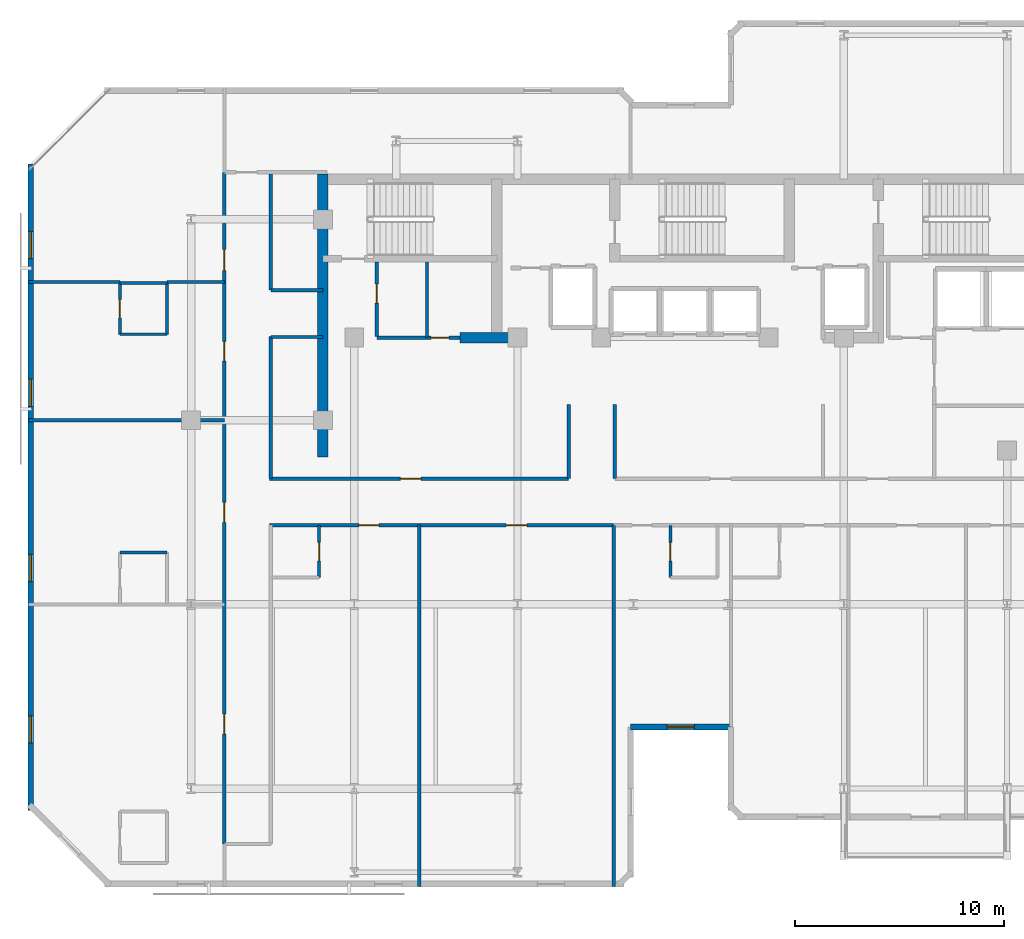
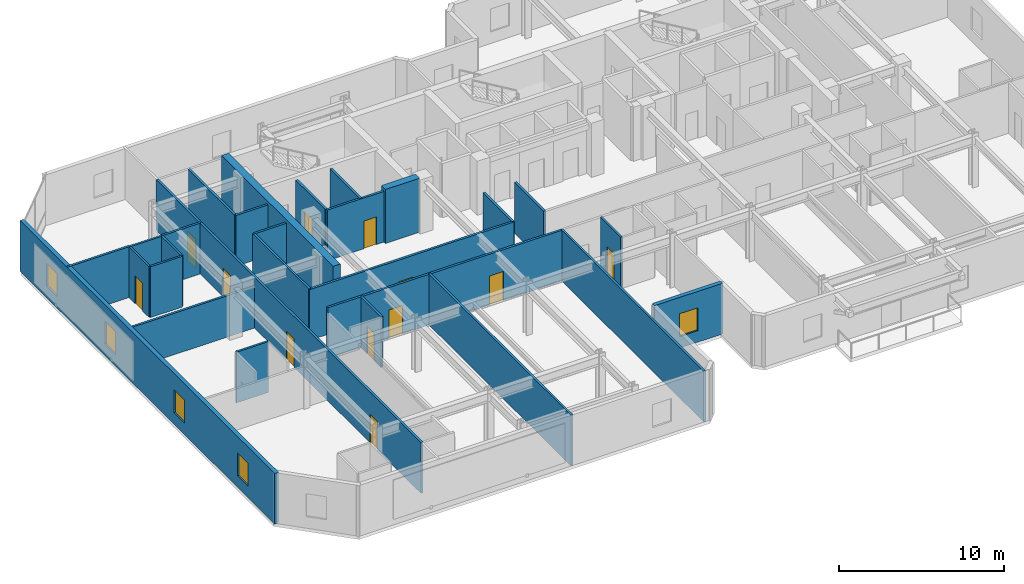
# One storey, part 4 of 10: 28 walls, 12 doors, 5 windows, 17 openings.
"""IFC4 building model written with IfcOpenShell, lengths in metres."""

from ifc_helpers import new_model, si_unit, direction, frame, frame_2d, origin, place, context, subcontext, project, spatial, rectangle, extrude, material, layer, layer_set, type_object, element, fill, save


model = new_model("IFC4")

# Units and contexts
model_context = context("Model", 3, precision=1e-05, world=origin(), true_north=direction((0.0, 1.0)))
body_context = subcontext(model_context, "Body", "Model", "MODEL_VIEW")
ifc_project = project(units=[si_unit("LENGTHUNIT", "METRE"), si_unit("AREAUNIT", "SQUARE_METRE"), si_unit("VOLUMEUNIT", "CUBIC_METRE"), si_unit("PLANEANGLEUNIT", "RADIAN"), si_unit("MASSUNIT", "GRAM", prefix="KILO")], contexts=[model_context])

# Site, building, storey
site_placement = place(None, origin())
site = spatial("IfcSite", under=ifc_project, at=site_placement, CompositionType="ELEMENT")
building_placement = place(site_placement, origin())
building = spatial("IfcBuilding", under=site, at=building_placement, Name="Kestravale Grand Hotel", CompositionType="ELEMENT")
storey_placement = place(building_placement, frame((0.0, 0.0, 285.39990234375)))
storey = spatial("IfcBuildingStorey", under=building, at=storey_placement, Name="L71", CompositionType="ELEMENT", Elevation=285.39990234375)

# Walls
ifc_material_1 = material(Name="Concrete f'c 50 MPa", Category="concrete")
ifc_layer_1 = layer(ifc_material_1, 0.5)
ifc_layer_set_1 = layer_set([ifc_layer_1], Name="EW-CORE-500")
wall_type_1 = type_object("IfcWallType", Name="EW-CORE-500", PredefinedType="SHEAR", material=ifc_layer_set_1)
wall_1_placement = place(storey_placement, frame((21.89990234375, 27.050048828125, 0.0), z_axis=(0.0, 0.0, 1.0), x_axis=(0.0, 1.0, 0.0)))
element("IfcWall", 1, at=wall_1_placement, inside=storey, type_object=wall_type_1, Name="L71 core shear wall W1", PredefinedType="SHEAR", context=body_context, shape_type="SweptSolid", body=[
    extrude(rectangle(XDim=13.52001953125, YDim=0.5, at=frame_2d((6.760009765625, 0.0))), origin(), (0.0, 0.0, 1.0), 4.0),
])
wall_2_placement = place(storey_placement, frame((28.449951171875, 32.75, 0.0), z_axis=(0.0, 0.0, 1.0), x_axis=(1.0, 0.0, 0.0)))
element("IfcWall", 2, at=wall_2_placement, inside=storey, type_object=wall_type_1, Name="L71 core shear wall S1", PredefinedType="SHEAR", context=body_context, shape_type="SweptSolid", body=[
    extrude(rectangle(XDim=2.400146484375, YDim=0.5, at=frame_2d((1.2001953125, 0.0))), origin(), (0.0, 0.0, 1.0), 4.0),
])

# Wall, opening, window
ifc_material_2 = material(Name="Precast concrete f'c 45 MPa", Category="concrete")
ifc_layer_2 = layer(ifc_material_2, 0.280029296875)
ifc_layer_set_2 = layer_set([ifc_layer_2], Name="EW-PREC-280")
wall_type_2 = type_object("IfcWallType", Name="EW-PREC-280", PredefinedType="SOLIDWALL", material=ifc_layer_set_2)
wall_3_placement = place(storey_placement, frame((36.610107421875, 14.139892578125, 0.0), z_axis=(0.0, 0.0, 1.0), x_axis=(1.0, 0.0, 0.0)))
wall_3 = element("IfcWall", 3, at=wall_3_placement, inside=storey, type_object=wall_type_2, Name="L71 fluted precast facade wall 4", PredefinedType="SOLIDWALL", context=body_context, shape_type="SweptSolid", body=[
    extrude(rectangle(XDim=4.77978515625, YDim=0.280029296875, at=frame_2d((2.389892578125, 0.0))), origin(), (0.0, 0.0, 1.0), 3.760009765625),
])
opening_1_placement = place(wall_3_placement, frame((1.739990234375, 0.0, 0.85009765625)))
opening_1 = element("IfcOpeningElement", 4, at=opening_1_placement, cuts=wall_3, Name="Opening W-GUEST-1300", PredefinedType="OPENING", context=body_context, shape_type="SweptSolid", body=[
    extrude(rectangle(XDim=1.300048828125, YDim=1.699951171875, at=frame_2d((0.64990234375, 0.85009765625))), frame((0.0, 0.14990234375, 0.0), z_axis=(0.0, -1.0, 0.0), x_axis=(1.0, 0.0, 0.0)), (0.0, 0.0, 1.0), 0.300048828125),
])
ifc_material_3 = material(Name="Insulated low-E double glazing in aluminium frame", Category="aluminium")
window_type = type_object("IfcWindowType", Name="W-GUEST-1300", PartitioningType="SINGLE_PANEL", PredefinedType="WINDOW", material=ifc_material_3)
window_1_placement = place(opening_1_placement, origin())
window_1 = element("IfcWindow", 5, at=window_1_placement, inside=storey, type_object=window_type, Name="L71 exterior window 4.1", OverallHeight=1.699951171875, OverallWidth=1.300048828125, PartitioningType="SINGLE_PANEL", PredefinedType="WINDOW", context=body_context, shape_type="SweptSolid", body=[
    extrude(rectangle(XDim=1.300048828125, YDim=1.699951171875, at=frame_2d((0.64990234375, 0.85009765625))), frame((0.0, 0.030029296875, 0.0), z_axis=(0.0, -1.0, 0.0), x_axis=(1.0, 0.0, 0.0)), (0.0, 0.0, 1.0), 0.06005859375),
])
fill(opening_1, window_1)

# Wall, openings, windows
wall_4_placement = place(storey_placement, frame((7.93994140625, 41.0400390625, 0.0), z_axis=(0.0, 0.0, 1.0), x_axis=(0.0, -1.0, 0.0)))
wall_4 = element("IfcWall", 6, at=wall_4_placement, inside=storey, type_object=wall_type_2, Name="L71 fluted precast facade wall 19", PredefinedType="SOLIDWALL", context=body_context, shape_type="SweptSolid", body=[
    extrude(rectangle(XDim=30.880126953125, YDim=0.280029296875, at=frame_2d((15.43994140625, 0.0))), origin(), (0.0, 0.0, 1.0), 3.760009765625),
])
opening_2_placement = place(wall_4_placement, frame((3.2099609375, 0.0, 0.85009765625)))
opening_2 = element("IfcOpeningElement", 7, at=opening_2_placement, cuts=wall_4, Name="Opening W-GUEST-1300", PredefinedType="OPENING", context=body_context, shape_type="SweptSolid", body=[
    extrude(rectangle(XDim=1.300048828125, YDim=1.699951171875, at=frame_2d((0.64990234375, 0.85009765625))), frame((0.0, 0.14990234375, 0.0), z_axis=(0.0, -1.0, 0.0), x_axis=(1.0, 0.0, 0.0)), (0.0, 0.0, 1.0), 0.300048828125),
])
opening_3_placement = place(wall_4_placement, frame((10.280029296875, 0.0, 0.85009765625)))
opening_3 = element("IfcOpeningElement", 8, at=opening_3_placement, cuts=wall_4, Name="Opening W-GUEST-1300", PredefinedType="OPENING", context=body_context, shape_type="SweptSolid", body=[
    extrude(rectangle(XDim=1.300048828125, YDim=1.699951171875, at=frame_2d((0.64990234375, 0.85009765625))), frame((0.0, 0.14990234375, 0.0), z_axis=(0.0, -1.0, 0.0), x_axis=(1.0, 0.0, 0.0)), (0.0, 0.0, 1.0), 0.300048828125),
])
opening_4_placement = place(wall_4_placement, frame((18.64990234375, 0.0, 0.85009765625)))
opening_4 = element("IfcOpeningElement", 9, at=opening_4_placement, cuts=wall_4, Name="Opening W-GUEST-1300", PredefinedType="OPENING", context=body_context, shape_type="SweptSolid", body=[
    extrude(rectangle(XDim=1.300048828125, YDim=1.699951171875, at=frame_2d((0.64990234375, 0.85009765625))), frame((0.0, 0.14990234375, 0.0), z_axis=(0.0, -1.0, 0.0), x_axis=(1.0, 0.0, 0.0)), (0.0, 0.0, 1.0), 0.300048828125),
])
opening_5_placement = place(wall_4_placement, frame((26.3701171875, 0.0, 0.85009765625)))
opening_5 = element("IfcOpeningElement", 10, at=opening_5_placement, cuts=wall_4, Name="Opening W-GUEST-1300", PredefinedType="OPENING", context=body_context, shape_type="SweptSolid", body=[
    extrude(rectangle(XDim=1.300048828125, YDim=1.699951171875, at=frame_2d((0.64990234375, 0.85009765625))), frame((0.0, 0.14990234375, 0.0), z_axis=(0.0, -1.0, 0.0), x_axis=(1.0, 0.0, 0.0)), (0.0, 0.0, 1.0), 0.300048828125),
])
window_2_placement = place(opening_2_placement, origin())
window_2 = element("IfcWindow", 11, at=window_2_placement, inside=storey, type_object=window_type, Name="L71 exterior window 19.1", OverallHeight=1.699951171875, OverallWidth=1.300048828125, PartitioningType="SINGLE_PANEL", PredefinedType="WINDOW", context=body_context, shape_type="SweptSolid", body=[
    extrude(rectangle(XDim=1.300048828125, YDim=1.699951171875, at=frame_2d((0.64990234375, 0.85009765625))), frame((0.0, 0.030029296875, 0.0), z_axis=(0.0, -1.0, 0.0), x_axis=(1.0, 0.0, 0.0)), (0.0, 0.0, 1.0), 0.06005859375),
])
fill(opening_2, window_2)
window_3_placement = place(opening_3_placement, origin())
window_3 = element("IfcWindow", 12, at=window_3_placement, inside=storey, type_object=window_type, Name="L71 exterior window 19.2", OverallHeight=1.699951171875, OverallWidth=1.300048828125, PartitioningType="SINGLE_PANEL", PredefinedType="WINDOW", context=body_context, shape_type="SweptSolid", body=[
    extrude(rectangle(XDim=1.300048828125, YDim=1.699951171875, at=frame_2d((0.64990234375, 0.85009765625))), frame((0.0, 0.030029296875, 0.0), z_axis=(0.0, -1.0, 0.0), x_axis=(1.0, 0.0, 0.0)), (0.0, 0.0, 1.0), 0.06005859375),
])
fill(opening_3, window_3)
window_4_placement = place(opening_4_placement, origin())
window_4 = element("IfcWindow", 13, at=window_4_placement, inside=storey, type_object=window_type, Name="L71 exterior window 19.3", OverallHeight=1.699951171875, OverallWidth=1.300048828125, PartitioningType="SINGLE_PANEL", PredefinedType="WINDOW", context=body_context, shape_type="SweptSolid", body=[
    extrude(rectangle(XDim=1.300048828125, YDim=1.699951171875, at=frame_2d((0.64990234375, 0.85009765625))), frame((0.0, 0.030029296875, 0.0), z_axis=(0.0, -1.0, 0.0), x_axis=(1.0, 0.0, 0.0)), (0.0, 0.0, 1.0), 0.06005859375),
])
fill(opening_4, window_4)
window_5_placement = place(opening_5_placement, origin())
window_5 = element("IfcWindow", 14, at=window_5_placement, inside=storey, type_object=window_type, Name="L71 exterior window 19.4", OverallHeight=1.699951171875, OverallWidth=1.300048828125, PartitioningType="SINGLE_PANEL", PredefinedType="WINDOW", context=body_context, shape_type="SweptSolid", body=[
    extrude(rectangle(XDim=1.300048828125, YDim=1.699951171875, at=frame_2d((0.64990234375, 0.85009765625))), frame((0.0, 0.030029296875, 0.0), z_axis=(0.0, -1.0, 0.0), x_axis=(1.0, 0.0, 0.0)), (0.0, 0.0, 1.0), 0.06005859375),
])
fill(opening_5, window_5)

# Wall, opening, door
ifc_material_4 = material(Name="Acoustic fire-rated gypsum board partition", Category="other")
ifc_layer_3 = layer(ifc_material_4, 0.159912109375)
ifc_layer_set_3 = layer_set([ifc_layer_3], Name="IW-CORR-160")
wall_type_3 = type_object("IfcWallType", Name="IW-CORR-160", PredefinedType="PARTITIONING", material=ifc_layer_set_3)
wall_5_placement = place(storey_placement, frame((24.47998046875, 32.800048828125, 0.0), z_axis=(0.0, 0.0, 1.0), x_axis=(0.0, 1.0, 0.0)))
wall_5 = element("IfcWall", 15, at=wall_5_placement, inside=storey, type_object=wall_type_3, Name="L71 west core vestibule wall", PredefinedType="PARTITIONING", context=body_context, shape_type="SweptSolid", body=[
    extrude(rectangle(XDim=3.570068359375, YDim=0.159912109375, at=frame_2d((1.78515625, 0.0))), origin(), (0.0, 0.0, 1.0), 3.760009765625),
])
opening_6_placement = place(wall_5_placement, frame((1.603515625, 0.0, 0.0)))
opening_6 = element("IfcOpeningElement", 16, at=opening_6_placement, cuts=wall_5, Name="Opening D-SH-900", PredefinedType="OPENING", context=body_context, shape_type="SweptSolid", body=[
    extrude(rectangle(XDim=0.89990234375, YDim=2.10009765625, at=frame_2d((0.449951171875, 1.050048828125))), frame((0.0, 0.08984375, 0.0), z_axis=(0.0, -1.0, 0.0), x_axis=(1.0, 0.0, 0.0)), (0.0, 0.0, 1.0), 0.179931640625),
])
ifc_material_5 = material(Name="Galvanised 90-minute shaft and service fire door", Category="steel")
door_type_1 = type_object("IfcDoorType", Name="D-SH-900", OperationType="NOTDEFINED", PredefinedType="DOOR", material=ifc_material_5)
door_1_placement = place(opening_6_placement, origin())
door_1 = element("IfcDoor", 17, at=door_1_placement, inside=storey, type_object=door_type_1, Name="D-L71-HK", OperationType="SINGLE_SWING_RIGHT", OverallHeight=2.10009765625, OverallWidth=0.89990234375, PredefinedType="DOOR", context=body_context, shape_type="SweptSolid", body=[
    extrude(rectangle(XDim=0.89990234375, YDim=2.10009765625, at=frame_2d((0.449951171875, 1.050048828125))), frame((0.0, 0.02490234375, 0.0), z_axis=(0.0, -1.0, 0.0), x_axis=(1.0, 0.0, 0.0)), (0.0, 0.0, 1.0), 0.050048828125),
])
fill(opening_6, door_1)

wall_6_placement = place(storey_placement, frame((24.47998046875, 32.75, 0.0), z_axis=(0.0, 0.0, 1.0), x_axis=(1.0, 0.0, 0.0)))
wall_6 = element("IfcWall", 18, at=wall_6_placement, inside=storey, type_object=wall_type_3, Name="W-L71-CWS", PredefinedType="PARTITIONING", context=body_context, shape_type="SweptSolid", body=[
    extrude(rectangle(XDim=3.969970703125, YDim=0.159912109375, at=frame_2d((1.98486328125, 0.0))), origin(), (0.0, 0.0, 1.0), 3.760009765625),
])
opening_7_placement = place(wall_6_placement, frame((2.5849609375, 0.0, 0.0)))
opening_7 = element("IfcOpeningElement", 19, at=opening_7_placement, cuts=wall_6, Name="Opening D-SH-860", PredefinedType="OPENING", context=body_context, shape_type="SweptSolid", body=[
    extrude(rectangle(XDim=0.860107421875, YDim=2.050048828125, at=frame_2d((0.43017578125, 1.02490234375))), frame((0.0, 0.08984375, 0.0), z_axis=(0.0, -1.0, 0.0), x_axis=(1.0, 0.0, 0.0)), (0.0, 0.0, 1.0), 0.179931640625),
])
ifc_material_6 = material(Name="Galvanised 90-minute riser fire door", Category="steel")
door_type_2 = type_object("IfcDoorType", Name="D-SH-860", OperationType="NOTDEFINED", PredefinedType="DOOR", material=ifc_material_6)
door_2_placement = place(opening_7_placement, origin())
door_2 = element("IfcDoor", 20, at=door_2_placement, inside=storey, type_object=door_type_2, Name="D-L71-ELEC", OperationType="SINGLE_SWING_RIGHT", OverallHeight=2.050048828125, OverallWidth=0.860107421875, PredefinedType="DOOR", context=body_context, shape_type="SweptSolid", body=[
    extrude(rectangle(XDim=0.860107421875, YDim=2.050048828125, at=frame_2d((0.43017578125, 1.02490234375))), frame((0.0, 0.02490234375, 0.0), z_axis=(0.0, -1.0, 0.0), x_axis=(1.0, 0.0, 0.0)), (0.0, 0.0, 1.0), 0.050048828125),
])
fill(opening_7, door_2)

wall_7_placement = place(storey_placement, frame((19.35009765625, 26.010009765625, 0.0), z_axis=(0.0, 0.0, 1.0), x_axis=(1.0, 0.0, 0.0)))
wall_7 = element("IfcWall", 21, at=wall_7_placement, inside=storey, type_object=wall_type_3, Name="W-L71-CW-N", PredefinedType="PARTITIONING", context=body_context, shape_type="SweptSolid", body=[
    extrude(rectangle(XDim=14.2998046875, YDim=0.159912109375, at=frame_2d((7.14990234375, 0.0))), origin(), (0.0, 0.0, 1.0), 3.760009765625),
])
opening_8_placement = place(wall_7_placement, frame((6.25, 0.0, 0.0)))
opening_8 = element("IfcOpeningElement", 22, at=opening_8_placement, cuts=wall_7, Name="Opening D-GUEST-1000", PredefinedType="OPENING", context=body_context, shape_type="SweptSolid", body=[
    extrude(rectangle(XDim=1.0, YDim=2.14990234375, at=frame_2d((0.5, 1.074951171875))), frame((0.0, 0.08984375, 0.0), z_axis=(0.0, -1.0, 0.0), x_axis=(1.0, 0.0, 0.0)), (0.0, 0.0, 1.0), 0.179931640625),
])
ifc_material_7 = material(Name="Accessible walnut veneer hotel entrance fire door", Category="wood")
door_type_3 = type_object("IfcDoorType", Name="D-GUEST-1000", OperationType="NOTDEFINED", PredefinedType="DOOR", material=ifc_material_7)
door_3_placement = place(opening_8_placement, origin())
door_3 = element("IfcDoor", 23, at=door_3_placement, inside=storey, type_object=door_type_3, Name="D-L71-RECL-W", OperationType="SINGLE_SWING_LEFT", OverallHeight=2.14990234375, OverallWidth=1.0, PredefinedType="DOOR", context=body_context, shape_type="SweptSolid", body=[
    extrude(rectangle(XDim=1.0, YDim=2.14990234375, at=frame_2d((0.5, 1.074951171875))), frame((0.0, 0.02490234375, 0.0), z_axis=(0.0, -1.0, 0.0), x_axis=(1.0, 0.0, 0.0)), (0.0, 0.0, 1.0), 0.050048828125),
])
fill(opening_8, door_3)

# Walls
for number, where, z_axis, x_axis, name in (
    (24, (33.64990234375, 26.010009765625, 0.0), (0.0, 0.0, 1.0), (0.0, 1.0, 0.0), "W-L71-TRUNK-W"),
    (25, (35.85009765625, 26.010009765625, 0.0), (0.0, 0.0, 1.0), (0.0, 1.0, 0.0), "W-L71-TRUNK-E"),
):
    element("IfcWall", number, at=place(storey_placement, frame(where, z_axis=z_axis, x_axis=x_axis)), inside=storey, type_object=wall_type_3, Name=name, PredefinedType="PARTITIONING", context=body_context, shape_type="SweptSolid", body=[
        extrude(rectangle(XDim=3.5400390625, YDim=0.159912109375, at=frame_2d((1.77001953125, 0.0))), origin(), (0.0, 0.0, 1.0), 3.760009765625),
    ])

# Wall, openings, doors
wall_8_placement = place(storey_placement, frame((19.35009765625, 23.7900390625, 0.0), z_axis=(0.0, 0.0, 1.0), x_axis=(1.0, 0.0, 0.0)))
wall_8 = element("IfcWall", 26, at=wall_8_placement, inside=storey, type_object=wall_type_3, Name="W-L71-CW-S", PredefinedType="PARTITIONING", context=body_context, shape_type="SweptSolid", body=[
    extrude(rectangle(XDim=16.449951171875, YDim=0.159912109375, at=frame_2d((8.22509765625, 0.0))), origin(), (0.0, 0.0, 1.0), 3.760009765625),
])
opening_9_placement = place(wall_8_placement, frame((4.28759765625, 0.0, 0.0)))
opening_9 = element("IfcOpeningElement", 27, at=opening_9_placement, cuts=wall_8, Name="Opening D-GUEST-950", PredefinedType="OPENING", context=body_context, shape_type="SweptSolid", body=[
    extrude(rectangle(XDim=0.949951171875, YDim=2.10009765625, at=frame_2d((0.47509765625, 1.050048828125))), frame((0.0, 0.08984375, 0.0), z_axis=(0.0, -1.0, 0.0), x_axis=(1.0, 0.0, 0.0)), (0.0, 0.0, 1.0), 0.179931640625),
])
opening_10_placement = place(wall_8_placement, frame((11.302490234375, 0.0, 0.0)))
opening_10 = element("IfcOpeningElement", 28, at=opening_10_placement, cuts=wall_8, Name="Opening D-GUEST-1000", PredefinedType="OPENING", context=body_context, shape_type="SweptSolid", body=[
    extrude(rectangle(XDim=1.0, YDim=2.14990234375, at=frame_2d((0.5, 1.074951171875))), frame((0.0, 0.08984375, 0.0), z_axis=(0.0, -1.0, 0.0), x_axis=(1.0, 0.0, 0.0)), (0.0, 0.0, 1.0), 0.179931640625),
])
door_4_placement = place(opening_10_placement, origin())
door_4 = element("IfcDoor", 29, at=door_4_placement, inside=storey, type_object=door_type_3, Name="D-L71-AMW", OperationType="SINGLE_SWING_RIGHT", OverallHeight=2.14990234375, OverallWidth=1.0, PredefinedType="DOOR", context=body_context, shape_type="SweptSolid", body=[
    extrude(rectangle(XDim=1.0, YDim=2.14990234375, at=frame_2d((0.5, 1.074951171875))), frame((0.0, 0.02490234375, 0.0), z_axis=(0.0, -1.0, 0.0), x_axis=(1.0, 0.0, 0.0)), (0.0, 0.0, 1.0), 0.050048828125),
])
fill(opening_10, door_4)
ifc_material_8 = material(Name="Walnut veneer hotel guestroom entrance fire door", Category="wood")
door_type_4 = type_object("IfcDoorType", Name="D-GUEST-950", OperationType="NOTDEFINED", PredefinedType="DOOR", material=ifc_material_8)
door_5_placement = place(opening_9_placement, origin())
door_5 = element("IfcDoor", 30, at=door_5_placement, inside=storey, type_object=door_type_4, Name="D-L71-U01-ENT", OperationType="SINGLE_SWING_LEFT", OverallHeight=2.10009765625, OverallWidth=0.949951171875, PredefinedType="DOOR", context=body_context, shape_type="SweptSolid", body=[
    extrude(rectangle(XDim=0.949951171875, YDim=2.10009765625, at=frame_2d((0.47509765625, 1.050048828125))), frame((0.0, 0.02490234375, 0.0), z_axis=(0.0, -1.0, 0.0), x_axis=(1.0, 0.0, 0.0)), (0.0, 0.0, 1.0), 0.050048828125),
])
fill(opening_9, door_5)

wall_9_placement = place(storey_placement, frame((17.18994140625, 8.550048828125, 0.0), z_axis=(0.0, 0.0, 1.0), x_axis=(0.0, 1.0, 0.0)))
wall_9 = element("IfcWall", 31, at=wall_9_placement, inside=storey, type_object=wall_type_3, Name="W-L71-SW-W", PredefinedType="PARTITIONING", context=body_context, shape_type="SweptSolid", body=[
    extrude(rectangle(XDim=32.099853515625, YDim=0.159912109375, at=frame_2d((16.0498046875, 0.0))), origin(), (0.0, 0.0, 1.0), 3.760009765625),
])
opening_11_placement = place(wall_9_placement, frame((5.25, 0.0, 0.0)))
opening_11 = element("IfcOpeningElement", 32, at=opening_11_placement, cuts=wall_9, Name="Opening D-GUEST-950", PredefinedType="OPENING", context=body_context, shape_type="SweptSolid", body=[
    extrude(rectangle(XDim=0.949951171875, YDim=2.10009765625, at=frame_2d((0.47509765625, 1.050048828125))), frame((0.0, 0.08984375, 0.0), z_axis=(0.0, -1.0, 0.0), x_axis=(1.0, 0.0, 0.0)), (0.0, 0.0, 1.0), 0.179931640625),
])
opening_12_placement = place(wall_9_placement, frame((15.375, 0.0, 0.0)))
opening_12 = element("IfcOpeningElement", 33, at=opening_12_placement, cuts=wall_9, Name="Opening D-GUEST-950", PredefinedType="OPENING", context=body_context, shape_type="SweptSolid", body=[
    extrude(rectangle(XDim=0.949951171875, YDim=2.10009765625, at=frame_2d((0.47509765625, 1.050048828125))), frame((0.0, 0.08984375, 0.0), z_axis=(0.0, -1.0, 0.0), x_axis=(1.0, 0.0, 0.0)), (0.0, 0.0, 1.0), 0.179931640625),
])
opening_13_placement = place(wall_9_placement, frame((23.074951171875, 0.0, 0.0)))
opening_13 = element("IfcOpeningElement", 34, at=opening_13_placement, cuts=wall_9, Name="Opening D-GUEST-950", PredefinedType="OPENING", context=body_context, shape_type="SweptSolid", body=[
    extrude(rectangle(XDim=0.949951171875, YDim=2.10009765625, at=frame_2d((0.47509765625, 1.050048828125))), frame((0.0, 0.08984375, 0.0), z_axis=(0.0, -1.0, 0.0), x_axis=(1.0, 0.0, 0.0)), (0.0, 0.0, 1.0), 0.179931640625),
])
opening_14_placement = place(wall_9_placement, frame((27.39990234375, 0.0, 0.0)))
opening_14 = element("IfcOpeningElement", 35, at=opening_14_placement, cuts=wall_9, Name="Opening D-GUEST-1000", PredefinedType="OPENING", context=body_context, shape_type="SweptSolid", body=[
    extrude(rectangle(XDim=1.0, YDim=2.14990234375, at=frame_2d((0.5, 1.074951171875))), frame((0.0, 0.08984375, 0.0), z_axis=(0.0, -1.0, 0.0), x_axis=(1.0, 0.0, 0.0)), (0.0, 0.0, 1.0), 0.179931640625),
])
door_6_placement = place(opening_14_placement, origin())
door_6 = element("IfcDoor", 36, at=door_6_placement, inside=storey, type_object=door_type_3, Name="D-L71-AMWW", OperationType="SINGLE_SWING_RIGHT", OverallHeight=2.14990234375, OverallWidth=1.0, PredefinedType="DOOR", context=body_context, shape_type="SweptSolid", body=[
    extrude(rectangle(XDim=1.0, YDim=2.14990234375, at=frame_2d((0.5, 1.074951171875))), frame((0.0, 0.02490234375, 0.0), z_axis=(0.0, -1.0, 0.0), x_axis=(1.0, 0.0, 0.0)), (0.0, 0.0, 1.0), 0.050048828125),
])
fill(opening_14, door_6)
door_7_placement = place(opening_11_placement, origin())
door_7 = element("IfcDoor", 37, at=door_7_placement, inside=storey, type_object=door_type_4, Name="D-L71-U05-ENT", OperationType="SINGLE_SWING_LEFT", OverallHeight=2.10009765625, OverallWidth=0.949951171875, PredefinedType="DOOR", context=body_context, shape_type="SweptSolid", body=[
    extrude(rectangle(XDim=0.949951171875, YDim=2.10009765625, at=frame_2d((0.47509765625, 1.050048828125))), frame((0.0, 0.02490234375, 0.0), z_axis=(0.0, -1.0, 0.0), x_axis=(1.0, 0.0, 0.0)), (0.0, 0.0, 1.0), 0.050048828125),
])
fill(opening_11, door_7)
door_8_placement = place(opening_12_placement, origin())
door_8 = element("IfcDoor", 38, at=door_8_placement, inside=storey, type_object=door_type_4, Name="D-L71-U06-ENT", OperationType="SINGLE_SWING_LEFT", OverallHeight=2.10009765625, OverallWidth=0.949951171875, PredefinedType="DOOR", context=body_context, shape_type="SweptSolid", body=[
    extrude(rectangle(XDim=0.949951171875, YDim=2.10009765625, at=frame_2d((0.47509765625, 1.050048828125))), frame((0.0, 0.02490234375, 0.0), z_axis=(0.0, -1.0, 0.0), x_axis=(1.0, 0.0, 0.0)), (0.0, 0.0, 1.0), 0.050048828125),
])
fill(opening_12, door_8)
door_9_placement = place(opening_13_placement, origin())
door_9 = element("IfcDoor", 39, at=door_9_placement, inside=storey, type_object=door_type_4, Name="D-L71-U07-ENT", OperationType="SINGLE_SWING_LEFT", OverallHeight=2.10009765625, OverallWidth=0.949951171875, PredefinedType="DOOR", context=body_context, shape_type="SweptSolid", body=[
    extrude(rectangle(XDim=0.949951171875, YDim=2.10009765625, at=frame_2d((0.47509765625, 1.050048828125))), frame((0.0, 0.02490234375, 0.0), z_axis=(0.0, -1.0, 0.0), x_axis=(1.0, 0.0, 0.0)), (0.0, 0.0, 1.0), 0.050048828125),
])
fill(opening_13, door_9)

# Walls
wall_10_placement = place(storey_placement, frame((19.409912109375, 35.02001953125, 0.0), z_axis=(0.0, 0.0, 1.0), x_axis=(0.0, 1.0, 0.0)))
element("IfcWall", 40, at=wall_10_placement, inside=storey, type_object=wall_type_3, Name="W-L71-SW-EN", PredefinedType="PARTITIONING", context=body_context, shape_type="SweptSolid", body=[
    extrude(rectangle(XDim=5.6298828125, YDim=0.159912109375, at=frame_2d((2.81494140625, 0.0))), origin(), (0.0, 0.0, 1.0), 3.760009765625),
])
for number, where, z_axis, x_axis, name in (
    (41, (19.409912109375, 35.02001953125, 0.0), (0.0, 0.0, 1.0), (1.0, 0.0, 0.0), "W-L71-SW-CN"),
    (42, (19.409912109375, 32.780029296875, 0.0), (0.0, 0.0, 1.0), (1.0, 0.0, 0.0), "W-L71-SW-CS"),
):
    element("IfcWall", number, at=place(storey_placement, frame(where, z_axis=z_axis, x_axis=x_axis)), inside=storey, type_object=wall_type_3, Name=name, PredefinedType="PARTITIONING", context=body_context, shape_type="SweptSolid", body=[
        extrude(rectangle(XDim=2.489990234375, YDim=0.159912109375, at=frame_2d((1.2451171875, 0.0))), origin(), (0.0, 0.0, 1.0), 3.760009765625),
    ])

# Wall, opening, door
ifc_material_9 = material(Name="Moisture-resistant tile-backer plumbing chase wall", Category="other")
ifc_layer_4 = layer(ifc_material_9, 0.139892578125)
ifc_layer_set_4 = layer_set([ifc_layer_4], Name="IW-PLB-140")
wall_type_4 = type_object("IfcWallType", Name="IW-PLB-140", PredefinedType="PLUMBINGWALL", material=ifc_layer_set_4)
wall_11_placement = place(storey_placement, frame((21.719970703125, 21.280029296875, 0.0), z_axis=(0.0, 0.0, 1.0), x_axis=(0.0, 1.0, 0.0)))
wall_11 = element("IfcWall", 43, at=wall_11_placement, inside=storey, type_object=wall_type_4, Name="W-L71-U01-BE", PredefinedType="PLUMBINGWALL", context=body_context, shape_type="SweptSolid", body=[
    extrude(rectangle(XDim=2.489990234375, YDim=0.139892578125, at=frame_2d((1.2451171875, 0.0))), origin(), (0.0, 0.0, 1.0), 3.760009765625),
])
opening_15_placement = place(wall_11_placement, frame((0.804931640625, 0.0, 0.0)))
opening_15 = element("IfcOpeningElement", 44, at=opening_15_placement, cuts=wall_11, Name="Opening D-BATH-880", PredefinedType="OPENING", context=body_context, shape_type="SweptSolid", body=[
    extrude(rectangle(XDim=0.8798828125, YDim=2.050048828125, at=frame_2d((0.43994140625, 1.02490234375))), frame((0.0, 0.079833984375, 0.0), z_axis=(0.0, -1.0, 0.0), x_axis=(1.0, 0.0, 0.0)), (0.0, 0.0, 1.0), 0.159912109375),
])
ifc_material_10 = material(Name="Moisture-sealed walnut en-suite bathroom door", Category="wood")
door_type_5 = type_object("IfcDoorType", Name="D-BATH-880", OperationType="NOTDEFINED", PredefinedType="DOOR", material=ifc_material_10)
door_10_placement = place(opening_15_placement, origin())
door_10 = element("IfcDoor", 45, at=door_10_placement, inside=storey, type_object=door_type_5, Name="D-L71-U01-BATH", OperationType="SINGLE_SWING_RIGHT", OverallHeight=2.050048828125, OverallWidth=0.8798828125, PredefinedType="DOOR", context=body_context, shape_type="SweptSolid", body=[
    extrude(rectangle(XDim=0.8798828125, YDim=2.050048828125, at=frame_2d((0.43994140625, 1.02490234375))), frame((0.0, 0.02490234375, 0.0), z_axis=(0.0, -1.0, 0.0), x_axis=(1.0, 0.0, 0.0)), (0.0, 0.0, 1.0), 0.050048828125),
])
fill(opening_15, door_10)

wall_12_placement = place(storey_placement, frame((38.510009765625, 21.280029296875, 0.0), z_axis=(0.0, 0.0, 1.0), x_axis=(0.0, 1.0, 0.0)))
wall_12 = element("IfcWall", 46, at=wall_12_placement, inside=storey, type_object=wall_type_4, Name="W-L71-U02-BW", PredefinedType="PLUMBINGWALL", context=body_context, shape_type="SweptSolid", body=[
    extrude(rectangle(XDim=2.489990234375, YDim=0.139892578125, at=frame_2d((1.2451171875, 0.0))), origin(), (0.0, 0.0, 1.0), 3.760009765625),
])
opening_16_placement = place(wall_12_placement, frame((0.804931640625, 0.0, 0.0)))
opening_16 = element("IfcOpeningElement", 47, at=opening_16_placement, cuts=wall_12, Name="Opening D-BATH-880", PredefinedType="OPENING", context=body_context, shape_type="SweptSolid", body=[
    extrude(rectangle(XDim=0.8798828125, YDim=2.050048828125, at=frame_2d((0.43994140625, 1.02490234375))), frame((0.0, 0.079833984375, 0.0), z_axis=(0.0, -1.0, 0.0), x_axis=(1.0, 0.0, 0.0)), (0.0, 0.0, 1.0), 0.159912109375),
])
door_11_placement = place(opening_16_placement, origin())
door_11 = element("IfcDoor", 48, at=door_11_placement, inside=storey, type_object=door_type_5, Name="D-L71-U02-BATH", OperationType="SINGLE_SWING_LEFT", OverallHeight=2.050048828125, OverallWidth=0.8798828125, PredefinedType="DOOR", context=body_context, shape_type="SweptSolid", body=[
    extrude(rectangle(XDim=0.8798828125, YDim=2.050048828125, at=frame_2d((0.43994140625, 1.02490234375))), frame((0.0, 0.02490234375, 0.0), z_axis=(0.0, -1.0, 0.0), x_axis=(1.0, 0.0, 0.0)), (0.0, 0.0, 1.0), 0.050048828125),
])
fill(opening_16, door_11)

# Wall
wall_13_placement = place(storey_placement, frame((12.199951171875, 22.489990234375, 0.0), z_axis=(0.0, 0.0, 1.0), x_axis=(1.0, 0.0, 0.0)))
element("IfcWall", 49, at=wall_13_placement, inside=storey, type_object=wall_type_4, Name="W-L71-U06-BN", PredefinedType="PLUMBINGWALL", context=body_context, shape_type="SweptSolid", body=[
    extrude(rectangle(XDim=2.25, YDim=0.139892578125, at=frame_2d((1.125, 0.0))), origin(), (0.0, 0.0, 1.0), 3.760009765625),
])

# Wall, opening, door
wall_14_placement = place(storey_placement, frame((12.199951171875, 32.909912109375, 0.0), z_axis=(0.0, 0.0, 1.0), x_axis=(0.0, 1.0, 0.0)))
wall_14 = element("IfcWall", 50, at=wall_14_placement, inside=storey, type_object=wall_type_4, Name="W-L71-U07-BW", PredefinedType="PLUMBINGWALL", context=body_context, shape_type="SweptSolid", body=[
    extrude(rectangle(XDim=2.4501953125, YDim=0.139892578125, at=frame_2d((1.22509765625, 0.0))), origin(), (0.0, 0.0, 1.0), 3.760009765625),
])
opening_17_placement = place(wall_14_placement, frame((0.784912109375, 0.0, 0.0)))
opening_17 = element("IfcOpeningElement", 51, at=opening_17_placement, cuts=wall_14, Name="Opening D-BATH-880", PredefinedType="OPENING", context=body_context, shape_type="SweptSolid", body=[
    extrude(rectangle(XDim=0.8798828125, YDim=2.050048828125, at=frame_2d((0.43994140625, 1.02490234375))), frame((0.0, 0.079833984375, 0.0), z_axis=(0.0, -1.0, 0.0), x_axis=(1.0, 0.0, 0.0)), (0.0, 0.0, 1.0), 0.159912109375),
])
door_12_placement = place(opening_17_placement, origin())
door_12 = element("IfcDoor", 52, at=door_12_placement, inside=storey, type_object=door_type_5, Name="D-L71-U07-BATH", OperationType="SINGLE_SWING_RIGHT", OverallHeight=2.050048828125, OverallWidth=0.8798828125, PredefinedType="DOOR", context=body_context, shape_type="SweptSolid", body=[
    extrude(rectangle(XDim=0.8798828125, YDim=2.050048828125, at=frame_2d((0.43994140625, 1.02490234375))), frame((0.0, 0.02490234375, 0.0), z_axis=(0.0, -1.0, 0.0), x_axis=(1.0, 0.0, 0.0)), (0.0, 0.0, 1.0), 0.050048828125),
])
fill(opening_17, door_12)

# Walls
wall_15_placement = place(storey_placement, frame((14.449951171875, 32.909912109375, 0.0), z_axis=(0.0, 0.0, 1.0), x_axis=(0.0, 1.0, 0.0)))
element("IfcWall", 53, at=wall_15_placement, inside=storey, type_object=wall_type_4, Name="W-L71-U07-BE", PredefinedType="PLUMBINGWALL", context=body_context, shape_type="SweptSolid", body=[
    extrude(rectangle(XDim=2.4501953125, YDim=0.139892578125, at=frame_2d((1.22509765625, 0.0))), origin(), (0.0, 0.0, 1.0), 3.760009765625),
])
for number, where, z_axis, x_axis, name in (
    (54, (12.199951171875, 32.909912109375, 0.0), (0.0, 0.0, 1.0), (1.0, 0.0, 0.0), "W-L71-U07-BS"),
    (55, (12.199951171875, 35.360107421875, 0.0), (0.0, 0.0, 1.0), (1.0, 0.0, 0.0), "W-L71-U07-BN"),
):
    element("IfcWall", number, at=place(storey_placement, frame(where, z_axis=z_axis, x_axis=x_axis)), inside=storey, type_object=wall_type_4, Name=name, PredefinedType="PLUMBINGWALL", context=body_context, shape_type="SweptSolid", body=[
        extrude(rectangle(XDim=2.25, YDim=0.139892578125, at=frame_2d((1.125, 0.0))), origin(), (0.0, 0.0, 1.0), 3.760009765625),
    ])
ifc_material_11 = material(Name="Double-stud STC 52 acoustic demising partition", Category="other")
ifc_layer_5 = layer(ifc_material_11, 0.14990234375)
ifc_layer_set_5 = layer_set([ifc_layer_5], Name="IW-UNIT-150")
wall_type_5 = type_object("IfcWallType", Name="IW-UNIT-150", PredefinedType="PARTITIONING", material=ifc_layer_set_5)
wall_16_placement = place(storey_placement, frame((26.8798828125, 32.75, 0.0), z_axis=(0.0, 0.0, 1.0), x_axis=(0.0, 1.0, 0.0)))
element("IfcWall", 56, at=wall_16_placement, inside=storey, type_object=wall_type_5, Name="W-L71-CC0-1", PredefinedType="PARTITIONING", context=body_context, shape_type="SweptSolid", body=[
    extrude(rectangle(XDim=3.6201171875, YDim=0.14990234375, at=frame_2d((1.81005859375, 0.0))), origin(), (0.0, 0.0, 1.0), 3.760009765625),
])
wall_17_placement = place(storey_placement, frame((19.409912109375, 26.010009765625, 0.0), z_axis=(0.0, 0.0, 1.0), x_axis=(0.0, 1.0, 0.0)))
element("IfcWall", 57, at=wall_17_placement, inside=storey, type_object=wall_type_5, Name="W-L71-RCLW-W", PredefinedType="PARTITIONING", context=body_context, shape_type="SweptSolid", body=[
    extrude(rectangle(XDim=6.7900390625, YDim=0.14990234375, at=frame_2d((3.39501953125, 0.0))), origin(), (0.0, 0.0, 1.0), 3.760009765625),
])
wall_18_placement = place(storey_placement, frame((26.5048828125, 6.52001953125, 0.0), z_axis=(0.0, 0.0, 1.0), x_axis=(0.0, 1.0, 0.0)))
element("IfcWall", 58, at=wall_18_placement, inside=storey, type_object=wall_type_5, Name="W-L71-WS-1", PredefinedType="PARTITIONING", context=body_context, shape_type="SweptSolid", body=[
    extrude(rectangle(XDim=17.27001953125, YDim=0.14990234375, at=frame_2d((8.635009765625, 0.0))), origin(), (0.0, 0.0, 1.0), 3.760009765625),
])
wall_19_placement = place(storey_placement, frame((35.800048828125, 6.52001953125, 0.0), z_axis=(0.0, 0.0, 1.0), x_axis=(0.0, 1.0, 0.0)))
element("IfcWall", 59, at=wall_19_placement, inside=storey, type_object=wall_type_5, Name="W-L71-MID-S", PredefinedType="PARTITIONING", context=body_context, shape_type="SweptSolid", body=[
    extrude(rectangle(XDim=17.25, YDim=0.14990234375, at=frame_2d((8.625, 0.0))), origin(), (0.0, 0.0, 1.0), 3.760009765625),
])
wall_20_placement = place(storey_placement, frame((7.820068359375, 28.800048828125, 0.0), z_axis=(0.0, 0.0, 1.0), x_axis=(1.0, 0.0, 0.0)))
element("IfcWall", 60, at=wall_20_placement, inside=storey, type_object=wall_type_5, Name="W-L71-WW-2", PredefinedType="PARTITIONING", context=body_context, shape_type="SweptSolid", body=[
    extrude(rectangle(XDim=9.369873046875, YDim=0.14990234375, at=frame_2d((4.68505859375, 0.0))), origin(), (0.0, 0.0, 1.0), 3.064208984375),
])
wall_21_placement = place(storey_placement, frame((7.820068359375, 35.39990234375, 0.0), z_axis=(0.0, 0.0, 1.0), x_axis=(1.0, 0.0, 0.0)))
element("IfcWall", 61, at=wall_21_placement, inside=storey, type_object=wall_type_5, Name="W-L71-WW-3", PredefinedType="PARTITIONING", context=body_context, shape_type="SweptSolid", body=[
    extrude(rectangle(XDim=4.3798828125, YDim=0.14990234375, at=frame_2d((2.18994140625, 0.0))), origin(), (0.0, 0.0, 1.0), 3.760009765625),
])
wall_22_placement = place(storey_placement, frame((14.449951171875, 35.39990234375, 0.0), z_axis=(0.0, 0.0, 1.0), x_axis=(1.0, 0.0, 0.0)))
element("IfcWall", 62, at=wall_22_placement, inside=storey, type_object=wall_type_5, Name="W-L71-WW-3", PredefinedType="PARTITIONING", context=body_context, shape_type="SweptSolid", body=[
    extrude(rectangle(XDim=2.739990234375, YDim=0.14990234375, at=frame_2d((1.3701171875, 0.0))), origin(), (0.0, 0.0, 1.0), 3.760009765625),
])

save(model, "model.ifc")
